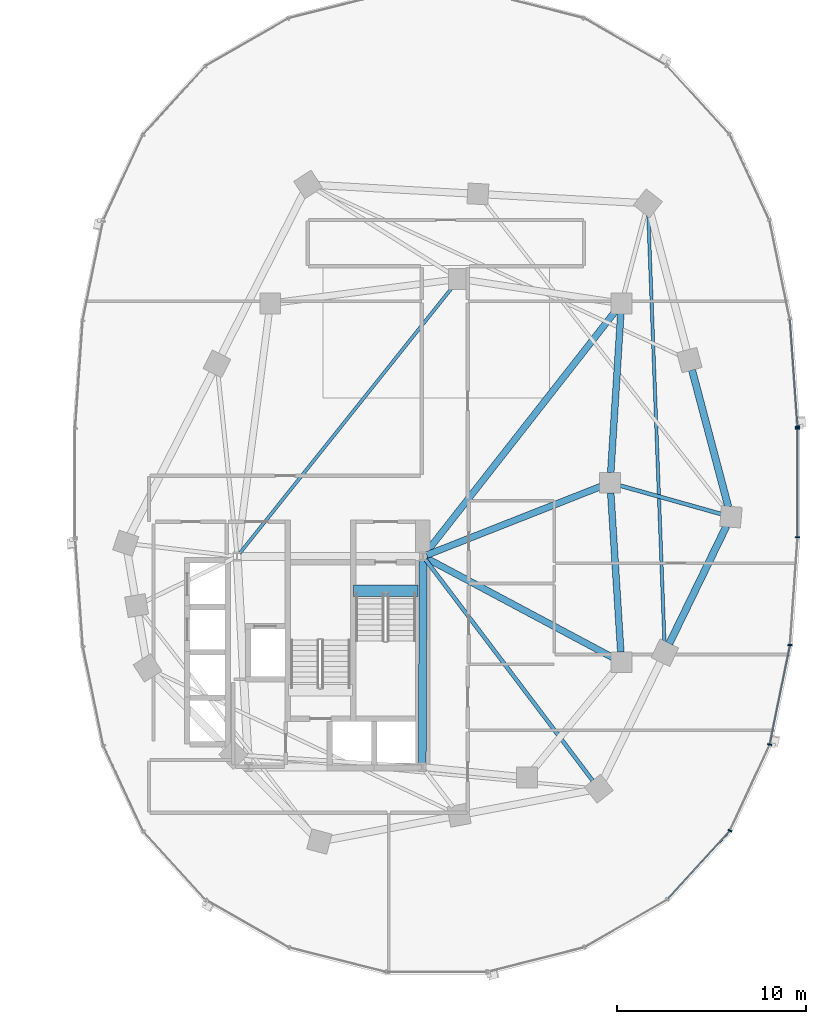
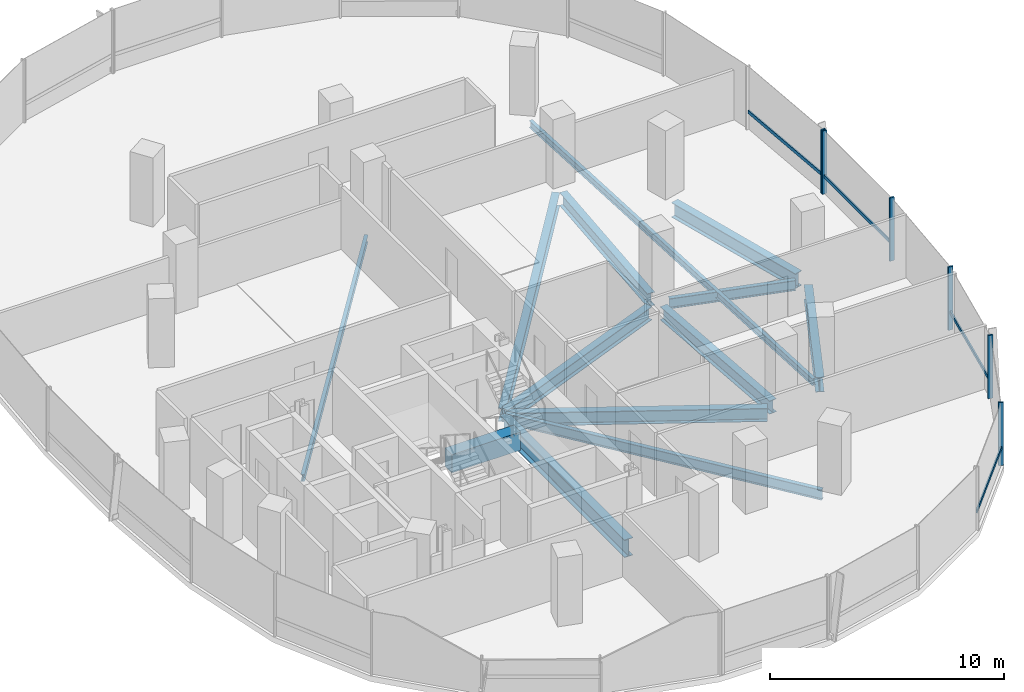
# One storey, part 6 of 21: 13 beams, 10 members, 2 elements without a shape of their own.
"""IFC4 building model written with IfcOpenShell, lengths in metres."""

from ifc_helpers import new_model, si_unit, direction, frame, origin, origin_2d, place, context, subcontext, project, spatial, rectangle, i_section, extrude, material, material_profile, profile_set, type_object, element, aggregate, save


model = new_model("IFC4")

# Units and contexts
model_context = context("Model", 3, precision=1e-05, world=origin(), true_north=direction((0.0, 1.0)))
body_context = subcontext(model_context, "Body", "Model", "MODEL_VIEW")
ifc_project = project(units=[si_unit("LENGTHUNIT", "METRE"), si_unit("AREAUNIT", "SQUARE_METRE"), si_unit("VOLUMEUNIT", "CUBIC_METRE"), si_unit("PLANEANGLEUNIT", "RADIAN"), si_unit("MASSUNIT", "GRAM", prefix="KILO"), si_unit("THERMODYNAMICTEMPERATUREUNIT", "KELVIN"), si_unit("POWERUNIT", "WATT")], contexts=[model_context])

# Site, building, storey
site_placement = place(None, origin())
site = spatial("IfcSite", under=ifc_project, at=site_placement, CompositionType="ELEMENT")
building_placement = place(site_placement, origin())
building = spatial("IfcBuilding", under=site, at=building_placement, Name="Cundina Bronze Exchange", CompositionType="ELEMENT")
storey_placement = place(building_placement, frame((0.0, 0.0, 92.60009765625)))
storey = spatial("IfcBuildingStorey", under=building, at=storey_placement, Name="L23", CompositionType="ELEMENT", Elevation=92.60009765625)

# Beams
ifc_material_1 = material(Name="Concrete C60/75", Category="concrete")
ifc_material_profile_1 = material_profile(ifc_material_1, rectangle(XDim=0.60009765625, YDim=0.949951171875, at=origin_2d()), Name="RC600X950", Category="concrete")
ifc_profile_set_1 = profile_set([ifc_material_profile_1], Name="Concrete C60/75")
beam_type_1 = type_object("IfcBeamType", Name="BM-COUP-RC950", PredefinedType="LINTEL", material=ifc_profile_set_1)
beam_1_placement = place(storey_placement, frame((27.6201171875, -5.719970703125, -0.47509765625), z_axis=(1.0, 0.0, 0.0), x_axis=(0.0, 1.0, 0.0)))
element("IfcBeam", 1, at=beam_1_placement, inside=storey, type_object=beam_type_1, Name="L23 Stair E1 Landing Header Beam", PredefinedType="LINTEL", context=body_context, shape_type="SweptSolid", body=[
    extrude(rectangle(XDim=0.60009765625, YDim=0.949951171875, at=origin_2d()), origin(), (0.0, 0.0, 1.0), 3.39990234375),
])
ifc_material_2 = material(Name="Steel ASTM A992 Grade 50", Category="steel")
ifc_material_profile_2 = material_profile(ifc_material_2, i_section(OverallWidth=0.2099609375, OverallDepth=0.532958984375, WebThickness=0.01025390625, FlangeThickness=0.015625, FilletRadius=0.013916015625, at=origin_2d()), Name="W21X62", Category="steel")
ifc_profile_set_2 = profile_set([ifc_material_profile_2], Name="Steel ASTM A992 Grade 50")
beam_type_2 = type_object("IfcBeamType", Name="BM-FLR-W21B", PredefinedType="BEAM", material=ifc_profile_set_2)
beam_2_placement = place(storey_placement, frame((31.423095703125, -4.062744140625, -0.566650390625), z_axis=(0.603095885041, -0.797668699052, 0.0), x_axis=(0.797668699052, 0.603095885041, 0.0)))
element("IfcBeam", 2, at=beam_2_placement, inside=storey, type_object=beam_type_2, Name="L23 Leg E Chordal Floor Beam 06", PredefinedType="BEAM", context=body_context, shape_type="SweptSolid", body=[
    extrude(i_section(OverallWidth=0.2099609375, OverallDepth=0.532958984375, WebThickness=0.01025390625, FlangeThickness=0.015625, FilletRadius=0.013916015625, at=origin_2d()), origin(), (0.0, 0.0, 1.0), 14.677978515625),
])
beam_3_placement = place(storey_placement, frame((41.718017578125, -0.145751953125, -0.566650390625), z_axis=(0.962654865541, -0.270731619598, 0.0), x_axis=(0.270731619598, 0.962654865541, 0.0)))
element("IfcBeam", 3, at=beam_3_placement, inside=storey, type_object=beam_type_2, Name="L23 Leg E Chordal Floor Beam 08", PredefinedType="BEAM", context=body_context, shape_type="SweptSolid", body=[
    extrude(i_section(OverallWidth=0.2099609375, OverallDepth=0.532958984375, WebThickness=0.01025390625, FlangeThickness=0.015625, FilletRadius=0.013916015625, at=origin_2d()), origin(), (0.0, 0.0, 1.0), 5.572021484375),
])
ifc_material_profile_3 = material_profile(ifc_material_2, i_section(OverallWidth=0.172119140625, OverallDepth=0.35791015625, WebThickness=0.0078125, FlangeThickness=0.01318359375, FilletRadius=0.010009765625, at=origin_2d()), Name="W14X38", Category="steel")
ifc_profile_set_3 = profile_set([ifc_material_profile_3], Name="Steel ASTM A992 Grade 50")
beam_type_3 = type_object("IfcBeamType", Name="BM-JST-W14", PredefinedType="JOIST", material=ifc_profile_set_3)
beam_4_placement = place(storey_placement, frame((21.577392578125, -3.740478515625, -0.47900390625), z_axis=(0.62436887964, 0.781129632095, 0.0), x_axis=(-0.781129632095, 0.62436887964, 0.0)))
element("IfcBeam", 4, at=beam_4_placement, inside=storey, type_object=beam_type_3, Name="L23 E Interior Core-to-Ring Joist 2", PredefinedType="JOIST", context=body_context, shape_type="SweptSolid", body=[
    extrude(i_section(OverallWidth=0.172119140625, OverallDepth=0.35791015625, WebThickness=0.0078125, FlangeThickness=0.01318359375, FilletRadius=0.010009765625, at=origin_2d()), origin(), (0.0, 0.0, 1.0), 18.076904296875),
])
beam_5_placement = place(storey_placement, frame((44.07958984375, -8.46240234375, -0.47900390625), z_axis=(-0.03778951385, 0.999285721224, 0.0), x_axis=(-0.999285721224, -0.03778951385, 0.0)))
element("IfcBeam", 5, at=beam_5_placement, inside=storey, type_object=beam_type_3, Name="L23 Leg E Lobe Floor Joist 07-10", PredefinedType="JOIST", context=body_context, shape_type="SweptSolid", body=[
    extrude(i_section(OverallWidth=0.172119140625, OverallDepth=0.35791015625, WebThickness=0.0078125, FlangeThickness=0.01318359375, FilletRadius=0.010009765625, at=origin_2d()), origin(), (0.0, 0.0, 1.0), 22.7412109375),
])
ifc_material_profile_4 = material_profile(ifc_material_2, i_section(OverallWidth=0.35498046875, OverallDepth=0.695068359375, WebThickness=0.015380859375, FlangeThickness=0.02490234375, FilletRadius=0.01806640625, at=origin_2d()), Name="W27X146", Category="steel")
ifc_profile_set_4 = profile_set([ifc_material_profile_4], Name="Steel ASTM A992 Grade 50")
beam_type_4 = type_object("IfcBeamType", Name="BM-RING-W27", PredefinedType="USERDEFINED", material=ifc_profile_set_4)
for number, where, z_axis, x_axis, name in (
    (6, (41.76611328125, -8.963134765625, -0.647705078125), (-0.06303715519, 0.998011180832, 0.0), (-0.998011180832, -0.06303715519, 0.0), "L23 E Inner Structural Ring Girder 03"),
    (7, (41.23388671875, 0.536865234375, -0.647705078125), (0.06303715519, 0.998011180832, 0.0), (-0.998011180832, 0.06303715519, 0.0), "L23 E Inner Structural Ring Girder 04"),
):
    element("IfcBeam", number, at=place(storey_placement, frame(where, z_axis=z_axis, x_axis=x_axis)), inside=storey, type_object=beam_type_4, Name=name, ObjectType="GIRDER", PredefinedType="USERDEFINED", context=body_context, shape_type="SweptSolid", body=[
        extrude(i_section(OverallWidth=0.35498046875, OverallDepth=0.695068359375, WebThickness=0.015380859375, FlangeThickness=0.02490234375, FilletRadius=0.01806640625, at=origin_2d()), origin(), (0.0, 0.0, 1.0), 8.443115234375),
    ])
beam_6_placement = place(storey_placement, frame((31.48974609375, -3.8251953125, -0.647705078125), z_axis=(0.930413235418, 0.366512225388, 0.0), x_axis=(-0.366512225388, 0.930413235418, 0.0)))
element("IfcBeam", 8, at=beam_6_placement, inside=storey, type_object=beam_type_4, Name="L23 E Core-to-Waist Tie Beam 1", ObjectType="GIRDER", PredefinedType="USERDEFINED", context=body_context, shape_type="SweptSolid", body=[
    extrude(i_section(OverallWidth=0.35498046875, OverallDepth=0.695068359375, WebThickness=0.015380859375, FlangeThickness=0.02490234375, FilletRadius=0.01806640625, at=origin_2d()), origin(), (0.0, 0.0, 1.0), 9.8984375),
])
beam_7_placement = place(storey_placement, frame((31.47998046875, -3.99609375, -0.647705078125), z_axis=(0.882354758239, -0.470584828286, 0.0), x_axis=(0.470584828286, 0.882354758239, 0.0)))
element("IfcBeam", 9, at=beam_7_placement, inside=storey, type_object=beam_type_4, Name="L23 E Core-to-Waist Tie Beam 2", ObjectType="GIRDER", PredefinedType="USERDEFINED", context=body_context, shape_type="SweptSolid", body=[
    extrude(i_section(OverallWidth=0.35498046875, OverallDepth=0.695068359375, WebThickness=0.015380859375, FlangeThickness=0.02490234375, FilletRadius=0.01806640625, at=origin_2d()), origin(), (0.0, 0.0, 1.0), 11.157958984375),
])
beam_8_placement = place(storey_placement, frame((31.42578125, -3.739501953125, -0.647705078125), z_axis=(0.616789275748, 0.787128318206, 0.0), x_axis=(-0.787128318206, 0.616789275748, 0.0)))
element("IfcBeam", 10, at=beam_8_placement, inside=storey, type_object=beam_type_4, Name="L23 E Core-to-Waist Tie Beam 3", ObjectType="GIRDER", PredefinedType="USERDEFINED", context=body_context, shape_type="SweptSolid", body=[
    extrude(i_section(OverallWidth=0.35498046875, OverallDepth=0.695068359375, WebThickness=0.015380859375, FlangeThickness=0.02490234375, FilletRadius=0.01806640625, at=origin_2d()), origin(), (0.0, 0.0, 1.0), 16.281982421875),
])
ifc_material_profile_5 = material_profile(ifc_material_2, i_section(OverallWidth=0.381103515625, OverallDepth=0.77294921875, WebThickness=0.0166015625, FlangeThickness=0.027099609375, FilletRadius=0.01904296875, at=origin_2d()), Name="W30X173", Category="steel")
ifc_profile_set_5 = profile_set([ifc_material_profile_5], Name="Steel ASTM A992 Grade 50")
beam_type_5 = type_object("IfcBeamType", Name="BM-RING-W30", PredefinedType="USERDEFINED", material=ifc_profile_set_5)
beam_9_placement = place(storey_placement, frame((44.335205078125, -8.51611328125, -0.6865234375), z_axis=(0.437193894283, 0.899367276924, 0.0), x_axis=(-0.899367276924, 0.437193894283, 0.0)))
element("IfcBeam", 11, at=beam_9_placement, inside=storey, type_object=beam_type_5, Name="L23 E Perimeter Ring Girder 07", ObjectType="GIRDER", PredefinedType="USERDEFINED", context=body_context, shape_type="SweptSolid", body=[
    extrude(i_section(OverallWidth=0.381103515625, OverallDepth=0.77294921875, WebThickness=0.0166015625, FlangeThickness=0.027099609375, FilletRadius=0.01904296875, at=origin_2d()), origin(), (0.0, 0.0, 1.0), 6.929443359375),
])
beam_10_placement = place(storey_placement, frame((47.462158203125, -1.280029296875, -0.6865234375), z_axis=(-0.256209719931, 0.966621218168, 0.0), x_axis=(-0.966621218168, -0.256209719931, 0.0)))
element("IfcBeam", 12, at=beam_10_placement, inside=storey, type_object=beam_type_5, Name="L23 E Perimeter Ring Girder 08", ObjectType="GIRDER", PredefinedType="USERDEFINED", context=body_context, shape_type="SweptSolid", body=[
    extrude(i_section(OverallWidth=0.381103515625, OverallDepth=0.77294921875, WebThickness=0.0166015625, FlangeThickness=0.027099609375, FilletRadius=0.01904296875, at=origin_2d()), origin(), (0.0, 0.0, 1.0), 7.5107421875),
])
ifc_material_profile_6 = material_profile(ifc_material_2, i_section(OverallWidth=0.41796875, OverallDepth=0.927001953125, WebThickness=0.019287109375, FlangeThickness=0.031982421875, FilletRadius=0.02392578125, at=origin_2d()), Name="W36X231", Category="steel")
ifc_profile_set_6 = profile_set([ifc_material_profile_6], Name="Steel ASTM A992 Grade 50")
beam_type_6 = type_object("IfcBeamType", Name="BM-WRN-W36B", PredefinedType="USERDEFINED", material=ifc_profile_set_6)
beam_11_placement = place(storey_placement, frame((31.2509765625, -14.845947265625, -0.763671875), z_axis=(0.004477329608, 0.99998997671, 0.0), x_axis=(-0.99998997671, 0.004477329608, 0.0)))
element("IfcBeam", 13, at=beam_11_placement, inside=storey, type_object=beam_type_6, Name="L23 E Core Perimeter Tie Girder 4", ObjectType="GIRDER", PredefinedType="USERDEFINED", context=body_context, shape_type="SweptSolid", body=[
    extrude(i_section(OverallWidth=0.41796875, OverallDepth=0.927001953125, WebThickness=0.019287109375, FlangeThickness=0.031982421875, FilletRadius=0.02392578125, at=origin_2d()), origin(), (0.0, 0.0, 1.0), 10.741943359375),
])

# Curtain wall, member
ifc_material_3 = material(Name="Anodised Bronze Aluminium 6063-T6", Category="aluminium")
curtain_wall_type = type_object("IfcCurtainWallType", Name="CWS-TRD-MID", PredefinedType="NOTDEFINED", material=ifc_material_3)
curtain_wall_1_placement = place(storey_placement, origin())
curtain_wall_1 = element("IfcCurtainWall", 14, at=curtain_wall_1_placement, inside=storey, type_object=curtain_wall_type, Name="L23 CW-03 Curtain Wall Run CWR-L23-E1", PredefinedType="NOTDEFINED")
ifc_material_profile_7 = material_profile(ifc_material_3, rectangle(XDim=0.074951171875, YDim=0.219970703125, at=origin_2d()), Name="AL75X220", Category="aluminium")
ifc_profile_set_7 = profile_set([ifc_material_profile_7], Name="Anodised Bronze Aluminium 6063-T6")
member_type_1 = type_object("IfcMemberType", Name="CWM-MUL-220", PredefinedType="MULLION", material=ifc_profile_set_7)
member_1_placement = place(storey_placement, frame((51.12451171875, 2.976318359375, 0.0), z_axis=(0.0, 0.0, 1.0), x_axis=(-0.070278787473, 0.997527389113, 0.0)))
member_1 = element("IfcMember", 15, at=member_1_placement, type_object=member_type_1, Name="CW-03 Mullion 1", PredefinedType="MULLION", context=body_context, shape_type="SweptSolid", body=[
    extrude(rectangle(XDim=0.074951171875, YDim=0.219970703125, at=origin_2d()), origin(), (0.0, 0.0, 1.0), 3.2998046875),
])

# Curtain wall, members
curtain_wall_2_placement = place(storey_placement, origin())
curtain_wall_2 = element("IfcCurtainWall", 16, at=curtain_wall_2_placement, inside=storey, type_object=curtain_wall_type, Name="L23 CW-03 Curtain Wall Run CWR-L23-E4", PredefinedType="NOTDEFINED")
member_2_placement = place(storey_placement, frame((47.544189453125, -18.423583984375, 0.0), z_axis=(0.0, 0.0, 1.0), x_axis=(0.42087749791, 0.907117485088, 0.0)))
member_2 = element("IfcMember", 17, at=member_2_placement, type_object=member_type_1, Name="CW-03 Mullion 4", PredefinedType="MULLION", context=body_context, shape_type="SweptSolid", body=[
    extrude(rectangle(XDim=0.074951171875, YDim=0.219970703125, at=origin_2d()), origin(), (0.0, 0.0, 1.0), 3.2998046875),
])
member_3_placement = place(storey_placement, frame((49.651123046875, -13.861328125, 0.0), z_axis=(0.0, 0.0, 1.0), x_axis=(0.201419845156, 0.979505000486, 0.0)))
member_3 = element("IfcMember", 18, at=member_3_placement, type_object=member_type_1, Name="CW-03 Mullion 5", PredefinedType="MULLION", context=body_context, shape_type="SweptSolid", body=[
    extrude(rectangle(XDim=0.074951171875, YDim=0.219970703125, at=origin_2d()), origin(), (0.0, 0.0, 1.0), 3.2998046875),
])
member_4_placement = place(storey_placement, frame((50.72900390625, -8.591552734375, 0.0), z_axis=(0.0, 0.0, 1.0), x_axis=(0.070278787473, 0.997527389113, 0.0)))
member_4 = element("IfcMember", 19, at=member_4_placement, type_object=member_type_1, Name="CW-03 Mullion 6", PredefinedType="MULLION", context=body_context, shape_type="SweptSolid", body=[
    extrude(rectangle(XDim=0.074951171875, YDim=0.219970703125, at=origin_2d()), origin(), (0.0, 0.0, 1.0), 3.2998046875),
])
member_5_placement = place(storey_placement, frame((51.1279296875, -2.880615234375, 0.0), z_axis=(0.0, 0.0, 1.0), x_axis=(0.0, 1.0, 0.0)))
member_5 = element("IfcMember", 20, at=member_5_placement, type_object=member_type_1, Name="CW-03 Mullion 7", PredefinedType="MULLION", context=body_context, shape_type="SweptSolid", body=[
    extrude(rectangle(XDim=0.074951171875, YDim=0.219970703125, at=origin_2d()), origin(), (0.0, 0.0, 1.0), 3.2998046875),
])
member_6_placement = place(storey_placement, frame((51.1279296875, 2.880615234375, 0.0), z_axis=(0.0, 0.0, 1.0), x_axis=(0.0, 1.0, 0.0)))
member_6 = element("IfcMember", 21, at=member_6_placement, type_object=member_type_1, Name="CW-03 End Mullion", PredefinedType="MULLION", context=body_context, shape_type="SweptSolid", body=[
    extrude(rectangle(XDim=0.074951171875, YDim=0.219970703125, at=origin_2d()), origin(), (0.0, 0.0, 1.0), 3.2998046875),
])

# Member
ifc_material_profile_8 = material_profile(ifc_material_3, rectangle(XDim=0.070068359375, YDim=0.179931640625, at=origin_2d()), Name="AL70X180", Category="aluminium")
ifc_profile_set_8 = profile_set([ifc_material_profile_8], Name="Anodised Bronze Aluminium 6063-T6")
member_type_2 = type_object("IfcMemberType", Name="CWM-TRN-180", PredefinedType="USERDEFINED", material=ifc_profile_set_8)
member_7_placement = place(storey_placement, frame((51.12158203125, 3.017333984375, 0.919921875), z_axis=(-0.070260714471, 0.997528662246, 0.0), x_axis=(-0.997528662246, -0.070260714471, 0.0)))
member_7 = element("IfcMember", 22, at=member_7_placement, type_object=member_type_2, Name="CW-03 Spandrel Transom 1", ObjectType="TRANSOM", PredefinedType="USERDEFINED", context=body_context, shape_type="SweptSolid", body=[
    extrude(rectangle(XDim=0.070068359375, YDim=0.179931640625, at=origin_2d()), origin(), (0.0, 0.0, 1.0), 5.629150390625),
])

aggregate(curtain_wall_1, [member_1, member_7])

member_8_placement = place(storey_placement, frame((44.26708984375, -22.027099609375, 0.919921875), z_axis=(0.674302794847, 0.738454968743, 0.0), x_axis=(-0.738454968743, 0.674302794847, 0.0)))
member_8 = element("IfcMember", 23, at=member_8_placement, type_object=member_type_2, Name="CW-03 Spandrel Transom 3", ObjectType="TRANSOM", PredefinedType="USERDEFINED", context=body_context, shape_type="SweptSolid", body=[
    extrude(rectangle(XDim=0.070068359375, YDim=0.179931640625, at=origin_2d()), origin(), (0.0, 0.0, 1.0), 4.848388671875),
])

member_9_placement = place(storey_placement, frame((49.659423828125, -13.821044921875, 0.919921875), z_axis=(0.201427712708, 0.979503382615, 0.0), x_axis=(-0.979503382615, 0.201427712708, 0.0)))
member_9 = element("IfcMember", 24, at=member_9_placement, type_object=member_type_2, Name="CW-03 Spandrel Transom 5", ObjectType="TRANSOM", PredefinedType="USERDEFINED", context=body_context, shape_type="SweptSolid", body=[
    extrude(rectangle(XDim=0.070068359375, YDim=0.179931640625, at=origin_2d()), origin(), (0.0, 0.0, 1.0), 5.291748046875),
])

member_10_placement = place(storey_placement, frame((51.1279296875, -2.839111328125, 0.919921875), z_axis=(0.0, 1.0, 0.0), x_axis=(-1.0, 0.0, 0.0)))
member_10 = element("IfcMember", 25, at=member_10_placement, type_object=member_type_2, Name="CW-03 Spandrel Transom 7", ObjectType="TRANSOM", PredefinedType="USERDEFINED", context=body_context, shape_type="SweptSolid", body=[
    extrude(rectangle(XDim=0.070068359375, YDim=0.179931640625, at=origin_2d()), origin(), (0.0, 0.0, 1.0), 5.67822265625),
])

aggregate(curtain_wall_2, [member_8, member_2, member_3, member_9, member_4, member_5, member_6, member_10])

save(model, "model.ifc")
